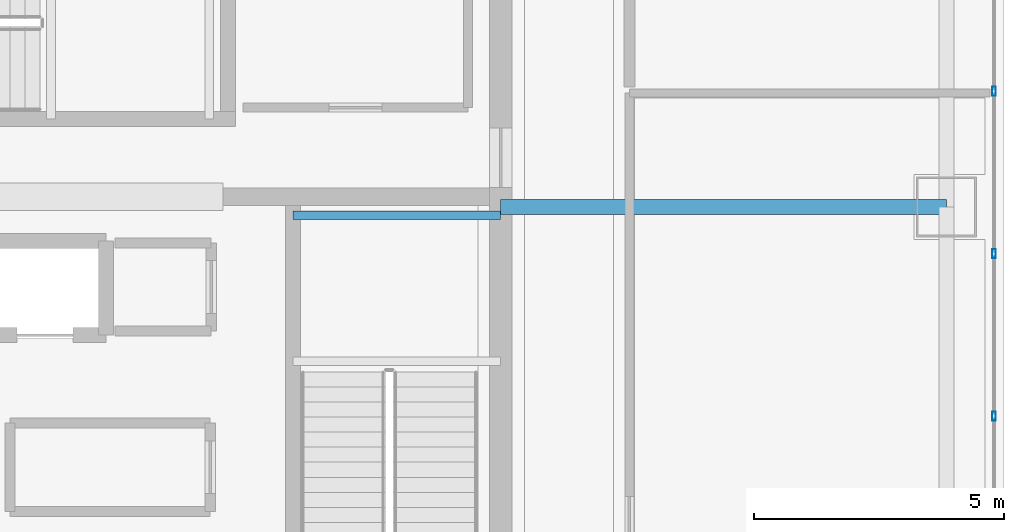
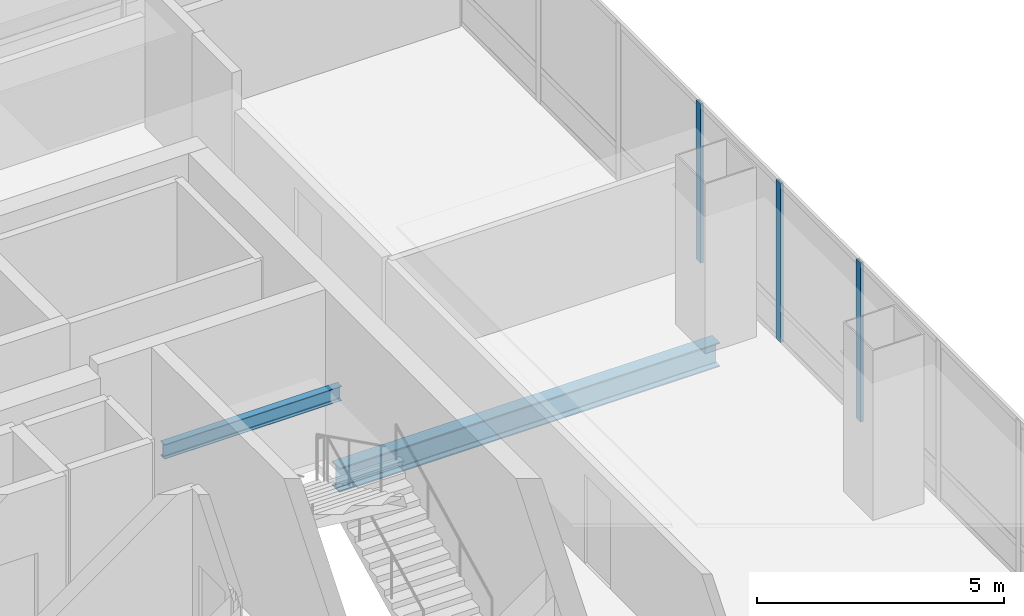
# One storey, part 23 of 46: 3 members, 2 beams, 1 element without a shape of its own.
"""IFC4 building model written with IfcOpenShell, lengths in metres."""

from ifc_helpers import new_model, si_unit, direction, frame, origin, origin_2d, place, context, subcontext, project, spatial, hollow_rectangle, i_section, extrude, material, material_profile, profile_set, type_object, element, aggregate, save


model = new_model("IFC4")

# Units and contexts
model_context = context("Model", 3, precision=1e-05, world=origin(), true_north=direction((0.0, 1.0)))
body_context = subcontext(model_context, "Body", "Model", "MODEL_VIEW")
ifc_project = project(units=[si_unit("LENGTHUNIT", "METRE"), si_unit("AREAUNIT", "SQUARE_METRE"), si_unit("VOLUMEUNIT", "CUBIC_METRE"), si_unit("PLANEANGLEUNIT", "RADIAN"), si_unit("MASSUNIT", "GRAM", prefix="KILO")], contexts=[model_context])

# Site, building, storey
site_placement = place(None, origin())
site = spatial("IfcSite", under=ifc_project, at=site_placement, CompositionType="ELEMENT")
building_placement = place(site_placement, origin())
building = spatial("IfcBuilding", under=site, at=building_placement, Name="Punatoya Terracotta Tower", CompositionType="ELEMENT")
storey_placement = place(building_placement, frame((0.0, 0.0, 330.0)))
storey = spatial("IfcBuildingStorey", under=building, at=storey_placement, Name="L78", CompositionType="ELEMENT", Elevation=330.0)

# Beams
ifc_material_1 = material(Name="Steel S355", Category="steel")
ifc_material_profile_1 = material_profile(ifc_material_1, i_section(OverallWidth=0.300048828125, OverallDepth=0.60009765625, WebThickness=0.015380859375, FlangeThickness=0.030029296875, FilletRadius=0.01806640625, at=origin_2d()))
ifc_profile_set_1 = profile_set([ifc_material_profile_1], Name="Steel S355")
beam_type_1 = type_object("IfcBeamType", Name="BM-PRI-600", PredefinedType="BEAM", material=ifc_profile_set_1)
beam_1_placement = place(storey_placement, frame((10.199951171875, 3.39990234375, -0.5), z_axis=(1.0, 0.0, 0.0), x_axis=(0.0, 1.0, 0.0)))
element("IfcBeam", 1, at=beam_1_placement, inside=storey, type_object=beam_type_1, Name="BM-L78-PR-EE", PredefinedType="BEAM", context=body_context, shape_type="SweptSolid", body=[
    extrude(i_section(OverallWidth=0.300048828125, OverallDepth=0.60009765625, WebThickness=0.015380859375, FlangeThickness=0.030029296875, FilletRadius=0.01806640625, at=origin_2d()), origin(), (0.0, 0.0, 1.0), 8.900146484375),
])
ifc_material_profile_2 = material_profile(ifc_material_1, i_section(OverallWidth=0.169921875, OverallDepth=0.360107421875, WebThickness=0.008056640625, FlangeThickness=0.0126953125, FilletRadius=0.01806640625, at=origin_2d()))
ifc_profile_set_2 = profile_set([ifc_material_profile_2], Name="Steel S355")
beam_type_2 = type_object("IfcBeamType", Name="BM-SEC-360", PredefinedType="JOIST", material=ifc_profile_set_2)
beam_2_placement = place(storey_placement, frame((6.050048828125, 3.22998046875, 1.719970703125), z_axis=(1.0, 0.0, 0.0), x_axis=(0.0, 1.0, 0.0)))
element("IfcBeam", 2, at=beam_2_placement, inside=storey, type_object=beam_type_2, Name="BM-L78-ST-2-LD1B", PredefinedType="JOIST", context=body_context, shape_type="SweptSolid", body=[
    extrude(i_section(OverallWidth=0.169921875, OverallDepth=0.360107421875, WebThickness=0.008056640625, FlangeThickness=0.0126953125, FilletRadius=0.01806640625, at=origin_2d()), origin(), (0.0, 0.0, 1.0), 4.14990234375),
])

# Curtain wall, members
ifc_material_2 = material(Name="Aluminium 6063-T6 + Double Low-E Glass", Category="aluminium")
curtain_wall_type = type_object("IfcCurtainWallType", Name="CW-OBS", PredefinedType="NOTDEFINED", material=ifc_material_2)
curtain_wall_placement = place(storey_placement, origin())
curtain_wall = element("IfcCurtainWall", 3, at=curtain_wall_placement, inside=storey, type_object=curtain_wall_type, Name="L78 Curtain Wall CW-L78-E05-1", PredefinedType="NOTDEFINED")
ifc_material_3 = material(Name="Aluminium 6063-T6", Category="aluminium")
ifc_material_profile_3 = material_profile(ifc_material_3, hollow_rectangle(XDim=0.070068359375, YDim=0.179931640625, WallThickness=0.00390625, at=origin_2d()))
ifc_profile_set_3 = profile_set([ifc_material_profile_3], Name="Aluminium 6063-T6")
member_type = type_object("IfcMemberType", Name="CW-MUL-M3", PredefinedType="MULLION", material=ifc_profile_set_3)
member_1_placement = place(storey_placement, frame((20.050048828125, -0.778564453125, 0.0), z_axis=(0.0, 0.0, 1.0), x_axis=(1.0, 0.0, 0.0)))
member_1 = element("IfcMember", 4, at=member_1_placement, type_object=member_type, Name="CW-L78-E05-1 Mullion 06", PredefinedType="MULLION", context=body_context, shape_type="SweptSolid", body=[
    extrude(hollow_rectangle(XDim=0.070068359375, YDim=0.179931640625, WallThickness=0.00390625, at=origin_2d()), origin(), (0.0, 0.0, 1.0), 3.93994140625),
])
member_2_placement = place(storey_placement, frame((20.050048828125, 2.464599609375, 0.0), z_axis=(0.0, 0.0, 1.0), x_axis=(1.0, 0.0, 0.0)))
member_2 = element("IfcMember", 5, at=member_2_placement, type_object=member_type, Name="CW-L78-E05-1 Mullion 07", PredefinedType="MULLION", context=body_context, shape_type="SweptSolid", body=[
    extrude(hollow_rectangle(XDim=0.070068359375, YDim=0.179931640625, WallThickness=0.00390625, at=origin_2d()), origin(), (0.0, 0.0, 1.0), 3.93994140625),
])
member_3_placement = place(storey_placement, frame((20.050048828125, 5.707763671875, 0.0), z_axis=(0.0, 0.0, 1.0), x_axis=(1.0, 0.0, 0.0)))
member_3 = element("IfcMember", 6, at=member_3_placement, type_object=member_type, Name="CW-L78-E05-1 Mullion 08", PredefinedType="MULLION", context=body_context, shape_type="SweptSolid", body=[
    extrude(hollow_rectangle(XDim=0.070068359375, YDim=0.179931640625, WallThickness=0.00390625, at=origin_2d()), origin(), (0.0, 0.0, 1.0), 3.93994140625),
])
aggregate(curtain_wall, [member_1, member_2, member_3])

save(model, "model.ifc")
